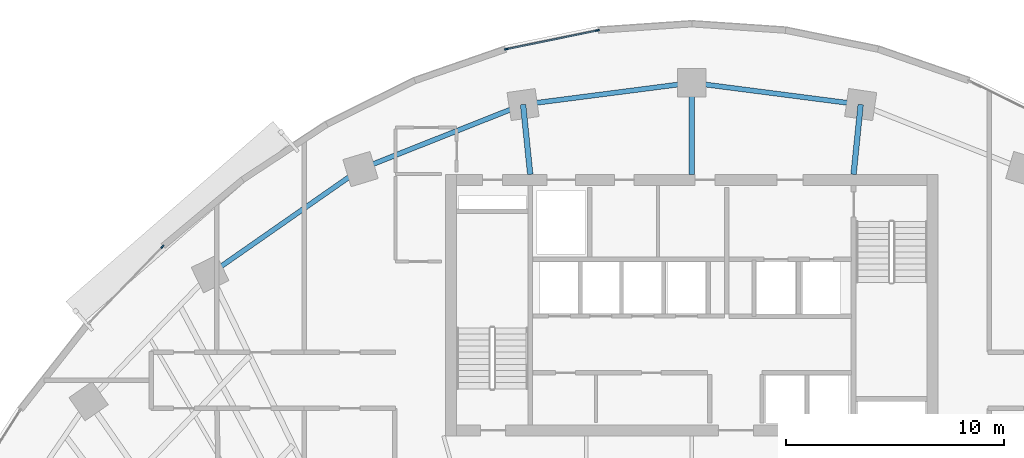
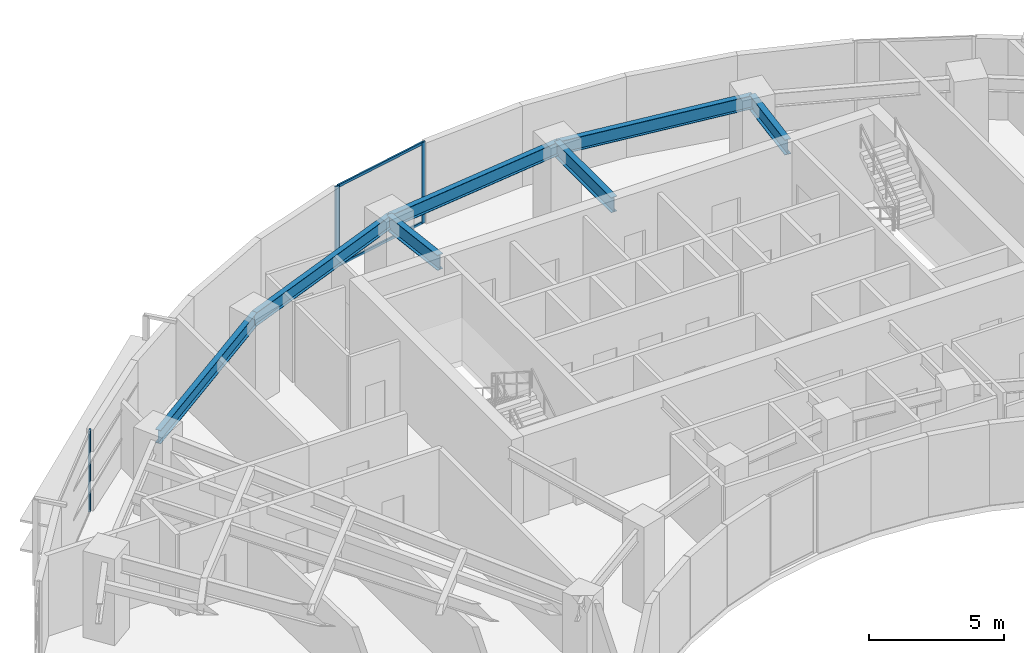
# One storey, part 5 of 14: 7 beams, 5 members, 2 elements without a shape of their own.
"""IFC4 building model written with IfcOpenShell, lengths in metres."""

from ifc_helpers import new_model, si_unit, direction, frame, origin, origin_2d, place, context, subcontext, project, spatial, rectangle, i_section, extrude, source, transform, mapped, material, layer, layer_set, material_profile, profile_set, type_object, element, aggregate, save


model = new_model("IFC4")

# Units and contexts
model_context = context("Model", 3, precision=1e-05, world=origin(), true_north=direction((0.0, 1.0)))
body_context = subcontext(model_context, "Body", "Model", "MODEL_VIEW")
ifc_project = project(units=[si_unit("LENGTHUNIT", "METRE"), si_unit("AREAUNIT", "SQUARE_METRE"), si_unit("VOLUMEUNIT", "CUBIC_METRE"), si_unit("PLANEANGLEUNIT", "RADIAN"), si_unit("MASSUNIT", "GRAM", prefix="KILO")], contexts=[model_context])

# Site, building, storey
site_placement = place(None, origin())
site = spatial("IfcSite", under=ifc_project, at=site_placement, CompositionType="ELEMENT")
building_placement = place(site_placement, origin())
building = spatial("IfcBuilding", under=site, at=building_placement, Name="Breltana Convention Tower", CompositionType="ELEMENT")
storey_placement = place(building_placement, frame((0.0, 0.0, 138.89990234375)))
storey = spatial("IfcBuildingStorey", under=building, at=storey_placement, Name="L33", CompositionType="ELEMENT", Elevation=138.89990234375)

# Beams
ifc_material_1 = material(Name="Steel ASTM A992 Grade 50", Category="steel")
ifc_material_profile_1 = material_profile(ifc_material_1, i_section(OverallWidth=0.25390625, OverallDepth=0.68798828125, WebThickness=0.01318359375, FlangeThickness=0.02099609375, at=origin_2d()), Name="W27X102")
ifc_profile_set_1 = profile_set([ifc_material_profile_1], Name="Steel ASTM A992 Grade 50")
beam_type_1 = type_object("IfcBeamType", Name="BM-RG-W27X102", PredefinedType="USERDEFINED", material=ifc_profile_set_1)
shared_shape_1 = source(origin(), body_context, "Body", "SweptSolid", [
    extrude(i_section(OverallWidth=0.25390625, OverallDepth=0.68798828125, WebThickness=0.01318359375, FlangeThickness=0.02099609375, at=origin_2d()), origin(), (0.0, 0.0, 1.0), 3.220947265625),
])
for number, where, z_axis, x_axis, name in (
    (1, (40.580078125, 72.199951171875, 3.30615234375), (-0.101492254858, 0.994836329355, 0.0), (-0.994836329355, -0.101492254858, 0.0), "L33 North Core Radial Girder R05"),
    (2, (55.419921875, 72.199951171875, 3.30615234375), (0.101492254858, 0.994836329355, 0.0), (-0.994836329355, 0.101492254858, 0.0), "L33 North Core Radial Girder R07"),
):
    element("IfcBeam", number, at=place(storey_placement, frame(where, z_axis=z_axis, x_axis=x_axis)), inside=storey, type_object=beam_type_1, Name=name, ObjectType="GIRDER", PredefinedType="USERDEFINED", context=body_context, shape_type="MappedRepresentation", body=[
        mapped(shared_shape_1, transform((0.0, 0.0, 0.0), scale=1.0)),
    ])
shared_shape_2 = source(origin(), body_context, "Body", "SweptSolid", [
    extrude(i_section(OverallWidth=0.25390625, OverallDepth=0.68798828125, WebThickness=0.01318359375, FlangeThickness=0.02099609375, at=origin_2d()), origin(), (0.0, 0.0, 1.0), 4.2041015625),
])
beam_1_placement = place(storey_placement, frame((48.0, 72.199951171875, 3.30615234375), z_axis=(0.0, 1.0, 0.0), x_axis=(-1.0, 0.0, 0.0)))
element("IfcBeam", 3, at=beam_1_placement, inside=storey, type_object=beam_type_1, Name="L33 North Core Radial Girder R06", ObjectType="GIRDER", PredefinedType="USERDEFINED", context=body_context, shape_type="MappedRepresentation", body=[
    mapped(shared_shape_2, transform((0.0, 0.0, 0.0), scale=1.0)),
])
ifc_material_profile_2 = material_profile(ifc_material_1, i_section(OverallWidth=0.22802734375, OverallDepth=0.60791015625, WebThickness=0.01123046875, FlangeThickness=0.017333984375, at=origin_2d()), Name="W24X76")
ifc_profile_set_2 = profile_set([ifc_material_profile_2], Name="Steel ASTM A992 Grade 50")
beam_type_2 = type_object("IfcBeamType", Name="BM-SP-W24X76", PredefinedType="SPANDREL", material=ifc_profile_set_2)
shared_shape_3 = source(origin(), body_context, "Body", "SweptSolid", [
    extrude(i_section(OverallWidth=0.22802734375, OverallDepth=0.60791015625, WebThickness=0.01123046875, FlangeThickness=0.017333984375, at=origin_2d()), origin(), (0.0, 0.0, 1.0), 8.4169921875),
])
beam_2_placement = place(storey_placement, frame((25.8876953125, 67.626953125, 3.34619140625), z_axis=(0.820173800102, 0.572114444519, 0.0), x_axis=(-0.572114444519, 0.820173800102, 0.0)))
element("IfcBeam", 4, at=beam_2_placement, inside=storey, type_object=beam_type_2, Name="L33 Outer Spandrel Beam 03", PredefinedType="SPANDREL", context=body_context, shape_type="MappedRepresentation", body=[
    mapped(shared_shape_3, transform((0.0, 0.0, 0.0), scale=1.0)),
])
shared_shape_4 = source(origin(), body_context, "Body", "SweptSolid", [
    extrude(i_section(OverallWidth=0.22802734375, OverallDepth=0.60791015625, WebThickness=0.01123046875, FlangeThickness=0.017333984375, at=origin_2d()), origin(), (0.0, 0.0, 1.0), 8.028564453125),
])
beam_3_placement = place(storey_placement, frame((32.791015625, 72.4423828125, 3.34619140625), z_axis=(0.929459100394, 0.368925169507, 0.0), x_axis=(-0.368925169507, 0.929459100394, 0.0)))
element("IfcBeam", 5, at=beam_3_placement, inside=storey, type_object=beam_type_2, Name="L33 Outer Spandrel Beam 04", PredefinedType="SPANDREL", context=body_context, shape_type="MappedRepresentation", body=[
    mapped(shared_shape_4, transform((0.0, 0.0, 0.0), scale=1.0)),
])
shared_shape_5 = source(origin(), body_context, "Body", "SweptSolid", [
    extrude(i_section(OverallWidth=0.22802734375, OverallDepth=0.60791015625, WebThickness=0.01123046875, FlangeThickness=0.017333984375, at=origin_2d()), origin(), (0.0, 0.0, 1.0), 7.81103515625),
])
for number, where, z_axis, x_axis, name in (
    (6, (40.253173828125, 75.404296875, 3.34619140625), (0.991775179127, 0.127992164083, 0.0), (-0.127992164083, 0.991775179127, 0.0), "L33 Outer Spandrel Beam 05"),
    (7, (48.0, 76.404052734375, 3.34619140625), (0.991775179127, -0.127992164083, 0.0), (0.127992164083, 0.991775179127, 0.0), "L33 Outer Spandrel Beam 06"),
):
    element("IfcBeam", number, at=place(storey_placement, frame(where, z_axis=z_axis, x_axis=x_axis)), inside=storey, type_object=beam_type_2, Name=name, PredefinedType="SPANDREL", context=body_context, shape_type="MappedRepresentation", body=[
        mapped(shared_shape_5, transform((0.0, 0.0, 0.0), scale=1.0)),
    ])

# Curtain wall, members
ifc_material_2 = material(Name="Aluminium Anodised Bronze Frame", Category="aluminium")
ifc_layer = layer(ifc_material_2, 0.22998046875, Name="Aluminium Anodised Bronze Frame")
ifc_layer_set = layer_set([ifc_layer], Name="Aluminium Anodised Bronze Frame")
curtain_wall_type = type_object("IfcCurtainWallType", Name="CW-SYS-5", PredefinedType="NOTDEFINED", material=ifc_layer_set)
curtain_wall_1_placement = place(storey_placement, origin())
curtain_wall_1 = element("IfcCurtainWall", 8, at=curtain_wall_1_placement, inside=storey, type_object=curtain_wall_type, Name="L33 outer double-skin inner glazing 3", PredefinedType="NOTDEFINED")
ifc_material_3 = material(Name="Aluminium Anodised Bronze", Category="aluminium")
ifc_material_profile_3 = material_profile(ifc_material_3, rectangle(XDim=0.070068359375, YDim=0.1201171875, at=origin_2d()), Name="CWT-70X120")
ifc_profile_set_3 = profile_set([ifc_material_profile_3], Name="Aluminium Anodised Bronze")
member_type_1 = type_object("IfcMemberType", Name="CWT-120", PredefinedType="USERDEFINED", material=ifc_profile_set_3)
shared_shape_6 = source(origin(), body_context, "Body", "SweptSolid", [
    extrude(rectangle(XDim=0.070068359375, YDim=0.1201171875, at=origin_2d()), origin(), (0.0, 0.0, 1.0), 4.200927734375),
])
member_1_placement = place(storey_placement, frame((39.520263671875, 77.955078125, 0.03515625), z_axis=(0.979621469833, 0.200852622196, 0.0), x_axis=(-0.200852622196, 0.979621469833, 0.0)))
member_1 = element("IfcMember", 9, at=member_1_placement, type_object=member_type_1, Name="CW-05 transom 1.1", ObjectType="TRANSOM", PredefinedType="USERDEFINED", context=body_context, shape_type="MappedRepresentation", body=[
    mapped(shared_shape_6, transform((0.0, 0.0, 0.0), scale=1.0)),
])
member_2_placement = place(storey_placement, frame((39.520263671875, 77.955078125, 3.614990234375), z_axis=(0.979621469833, 0.200852622196, 0.0), x_axis=(-0.200852622196, 0.979621469833, 0.0)))
member_2 = element("IfcMember", 10, at=member_2_placement, type_object=member_type_1, Name="CW-05 transom 1.2", ObjectType="TRANSOM", PredefinedType="USERDEFINED", context=body_context, shape_type="MappedRepresentation", body=[
    mapped(shared_shape_6, transform((0.0, 0.0, 0.0), scale=1.0)),
])

# Curtain wall, member
curtain_wall_2_placement = place(storey_placement, origin())
curtain_wall_2 = element("IfcCurtainWall", 11, at=curtain_wall_2_placement, inside=storey, type_object=curtain_wall_type, Name="L33 outer double-skin inner glazing 2", PredefinedType="NOTDEFINED")
ifc_material_profile_4 = material_profile(ifc_material_3, rectangle(XDim=0.070068359375, YDim=0.175048828125, at=origin_2d()), Name="CWM-70X175")
ifc_profile_set_4 = profile_set([ifc_material_profile_4], Name="Aluminium Anodised Bronze")
member_type_2 = type_object("IfcMemberType", Name="CWM-175", PredefinedType="MULLION", material=ifc_profile_set_4)
shared_shape_7 = source(origin(), body_context, "Body", "SweptSolid", [
    extrude(rectangle(XDim=0.070068359375, YDim=0.175048828125, at=origin_2d()), origin(), (0.0, 0.0, 1.0), 3.650146484375),
])
member_3_placement = place(storey_placement, frame((23.700439453125, 68.88232421875, 0.0), z_axis=(0.0, 0.0, 1.0), x_axis=(-0.719384961558, 0.694611601605, 0.0)))
member_3 = element("IfcMember", 12, at=member_3_placement, type_object=member_type_2, Name="CW-05 mullion 2", PredefinedType="MULLION", context=body_context, shape_type="MappedRepresentation", body=[
    mapped(shared_shape_7, transform((0.0, 0.0, 0.0), scale=1.0)),
])
aggregate(curtain_wall_2, [member_3])

# Member
member_4_placement = place(storey_placement, frame((39.486083984375, 77.947998046875, 0.0), z_axis=(0.0, 0.0, 1.0), x_axis=(-0.200858550415, 0.979620254346, 0.0)))
member_4 = element("IfcMember", 13, at=member_4_placement, type_object=member_type_2, Name="CW-05 mullion 1", PredefinedType="MULLION", context=body_context, shape_type="MappedRepresentation", body=[
    mapped(shared_shape_7, transform((0.0, 0.0, 0.0), scale=1.0)),
])

member_5_placement = place(storey_placement, frame((43.669921875, 78.805908203125, 0.0), z_axis=(0.0, 0.0, 1.0), x_axis=(-0.200858550415, 0.979620254346, 0.0)))
member_5 = element("IfcMember", 14, at=member_5_placement, type_object=member_type_2, Name="CW-05 mullion 2", PredefinedType="MULLION", context=body_context, shape_type="MappedRepresentation", body=[
    mapped(shared_shape_7, transform((0.0, 0.0, 0.0), scale=1.0)),
])

aggregate(curtain_wall_1, [member_4, member_5, member_1, member_2])

save(model, "model.ifc")
